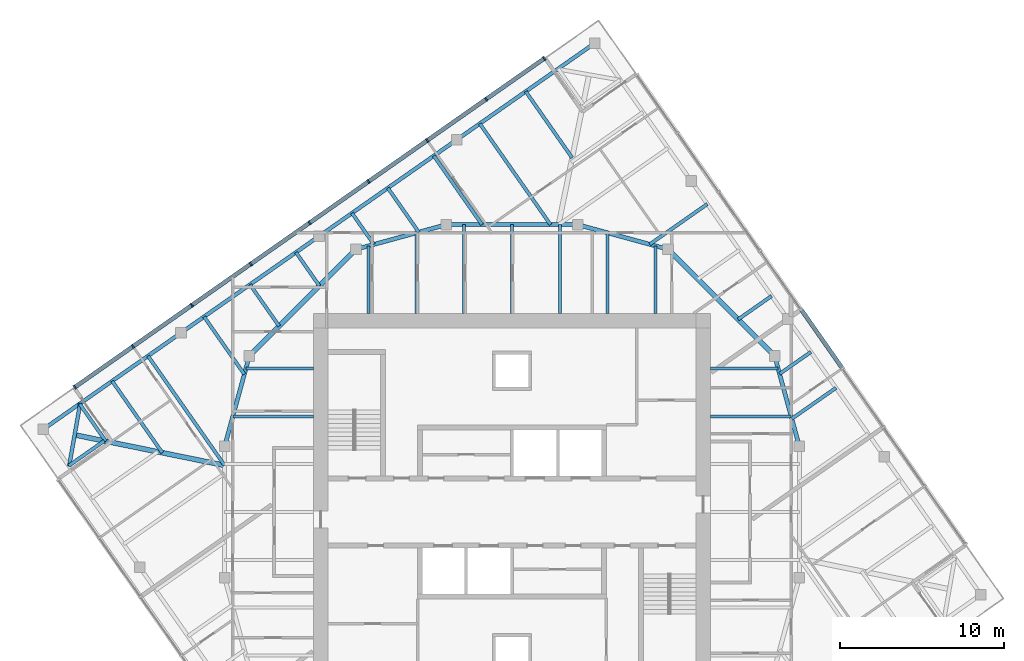
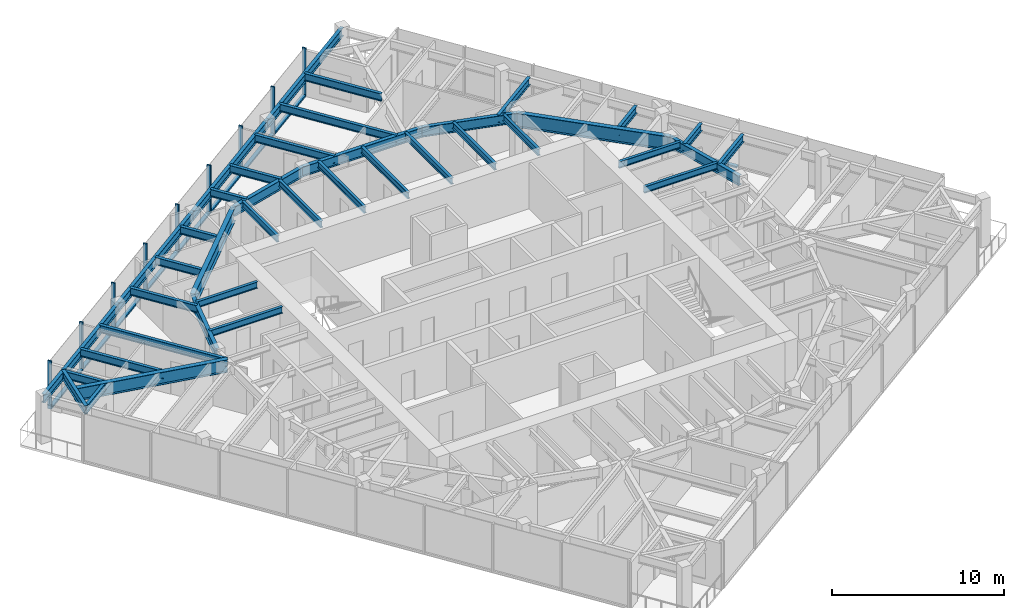
# One storey, part 4 of 12: 40 beams, 18 members, 2 elements without a shape of their own.
"""IFC4 building model written with IfcOpenShell, lengths in metres."""

from ifc_helpers import new_model, si_unit, direction, frame, origin, origin_2d, place, context, subcontext, project, spatial, rectangle, i_section, extrude, material, material_profile, profile_set, type_object, element, aggregate, save


model = new_model("IFC4")

# Units and contexts
model_context = context("Model", 3, precision=1e-05, world=origin(), true_north=direction((0.0, 1.0)))
body_context = subcontext(model_context, "Body", "Model", "MODEL_VIEW")
ifc_project = project(units=[si_unit("LENGTHUNIT", "METRE"), si_unit("AREAUNIT", "SQUARE_METRE"), si_unit("VOLUMEUNIT", "CUBIC_METRE"), si_unit("PLANEANGLEUNIT", "RADIAN"), si_unit("MASSUNIT", "GRAM", prefix="KILO")], contexts=[model_context])

# Site, building, storey
site_placement = place(None, origin())
site = spatial("IfcSite", under=ifc_project, at=site_placement, CompositionType="ELEMENT")
building_placement = place(site_placement, origin())
building = spatial("IfcBuilding", under=site, at=building_placement, Name="Torsade Residences", CompositionType="ELEMENT")
storey_placement = place(building_placement, frame((0.0, 0.0, 243.800048828125)))
storey = spatial("IfcBuildingStorey", under=building, at=storey_placement, Name="L67", CompositionType="ELEMENT", Elevation=243.800048828125)

# Beams
ifc_material_1 = material(Name="Steel grade 300", Category="steel")
ifc_material_profile_1 = material_profile(ifc_material_1, i_section(OverallWidth=0.300048828125, OverallDepth=0.89990234375, WebThickness=0.011962890625, FlangeThickness=0.02490234375, at=origin_2d()), Name="900WB175")
ifc_profile_set_1 = profile_set([ifc_material_profile_1], Name="Steel grade 300")
beam_type_1 = type_object("IfcBeamType", Name="CORNER GIRDER 900WB175", PredefinedType="BEAM", material=ifc_profile_set_1)
beam_1_placement = place(storey_placement, frame((13.364013671875, 34.696533203125, 2.800048828125), z_axis=(0.979880626756, -0.199584461589, 0.0), x_axis=(0.199584461589, 0.979880626756, 0.0)))
element("IfcBeam", 1, at=beam_1_placement, inside=storey, type_object=beam_type_1, Name="Corner girder 13 L68", PredefinedType="BEAM", context=body_context, shape_type="SweptSolid", body=[
    extrude(i_section(OverallWidth=0.300048828125, OverallDepth=0.89990234375, WebThickness=0.011962890625, FlangeThickness=0.02490234375, at=origin_2d()), origin(), (0.0, 0.0, 1.0), 9.323486328125),
])
ifc_material_2 = material(Name="Steel grade 300", Category="steel")
ifc_material_profile_2 = material_profile(ifc_material_2, i_section(OverallWidth=0.22802734375, OverallDepth=0.60205078125, WebThickness=0.010498046875, FlangeThickness=0.014892578125, FilletRadius=0.013916015625, at=origin_2d()), Name="610UB101")
ifc_profile_set_2 = profile_set([ifc_material_profile_2], Name="Steel grade 300")
beam_type_2 = type_object("IfcBeamType", Name="CORNER TRIMMER 610UB101", PredefinedType="BEAM", material=ifc_profile_set_2)
beam_2_placement = place(storey_placement, frame((13.0263671875, 32.78173828125, 2.948974609375), z_axis=(0.173645660267, 0.984808196894, 0.0), x_axis=(-0.984808196894, 0.173645660267, 0.0)))
element("IfcBeam", 2, at=beam_2_placement, inside=storey, type_object=beam_type_2, Name="Corner trimmer 13 L68", PredefinedType="BEAM", context=body_context, shape_type="SweptSolid", body=[
    extrude(i_section(OverallWidth=0.22802734375, OverallDepth=0.60205078125, WebThickness=0.010498046875, FlangeThickness=0.014892578125, FilletRadius=0.013916015625, at=origin_2d()), origin(), (0.0, 0.0, 1.0), 3.888916015625),
])
ifc_material_3 = material(Name="Steel grade 300", Category="steel")
ifc_material_profile_3 = material_profile(ifc_material_3, i_section(OverallWidth=0.22900390625, OverallDepth=0.612060546875, WebThickness=0.011962890625, FlangeThickness=0.01953125, FilletRadius=0.013916015625, at=origin_2d()), Name="610UB125")
ifc_profile_set_3 = profile_set([ifc_material_profile_3], Name="Steel grade 300")
beam_type_3 = type_object("IfcBeamType", Name="EDGE BEAM 610UB125", PredefinedType="SPANDREL", material=ifc_profile_set_3)
for number, where, z_axis, x_axis, name in (
    (3, (45.0341796875, 58.551025390625, 2.94384765625), (-0.819150225126, -0.573579034377, 0.0), (0.573579034377, -0.819150225126, 0.0), "Edge beam 09 L68"),
    (4, (36.637939453125, 52.671875, 2.94384765625), (-0.819150225126, -0.573579034377, 0.0), (0.573579034377, -0.819150225126, 0.0), "Edge beam 10 L68"),
    (5, (28.24169921875, 46.792724609375, 2.94384765625), (-0.819150225126, -0.573579034377, 0.0), (0.573579034377, -0.819150225126, 0.0), "Edge beam 11 L68"),
):
    element("IfcBeam", number, at=place(storey_placement, frame(where, z_axis=z_axis, x_axis=x_axis)), inside=storey, type_object=beam_type_3, Name=name, PredefinedType="SPANDREL", context=body_context, shape_type="SweptSolid", body=[
        extrude(i_section(OverallWidth=0.22900390625, OverallDepth=0.612060546875, WebThickness=0.011962890625, FlangeThickness=0.01953125, FilletRadius=0.013916015625, at=origin_2d()), origin(), (0.0, 0.0, 1.0), 10.25),
    ])
beam_3_placement = place(storey_placement, frame((19.845458984375, 40.91357421875, 2.94384765625), z_axis=(-0.819146870247, -0.573583825578, 0.0), x_axis=(0.573583825578, -0.819146870247, 0.0)))
element("IfcBeam", 6, at=beam_3_placement, inside=storey, type_object=beam_type_3, Name="Edge beam 12 L68", PredefinedType="SPANDREL", context=body_context, shape_type="SweptSolid", body=[
    extrude(i_section(OverallWidth=0.22900390625, OverallDepth=0.612060546875, WebThickness=0.011962890625, FlangeThickness=0.01953125, FilletRadius=0.013916015625, at=origin_2d()), origin(), (0.0, 0.0, 1.0), 10.250244140625),
])

# Curtain wall, members
ifc_material_4 = material(Name="Aluminium and glass", Category="aluminium")
curtain_wall_type = type_object("IfcCurtainWallType", Name="FRITTED GLASS CURTAIN WALL HIGH ZONE", PredefinedType="NOTDEFINED", material=ifc_material_4)
curtain_wall_1_placement = place(storey_placement, origin())
curtain_wall_1 = element("IfcCurtainWall", 7, at=curtain_wall_1_placement, inside=storey, type_object=curtain_wall_type, Name="Curtain wall L67 face 7", PredefinedType="NOTDEFINED")
ifc_material_5 = material(Name="Aluminium mullion", Category="aluminium")
ifc_material_profile_4 = material_profile(ifc_material_5, rectangle(XDim=0.25, YDim=0.10009765625, at=origin_2d()), Name="HIGH ZONE CURTAIN WALL MULLION 250x100")
ifc_profile_set_4 = profile_set([ifc_material_profile_4], Name="Aluminium mullion")
member_type_1 = type_object("IfcMemberType", Name="HIGH ZONE CURTAIN WALL MULLION 250x100", PredefinedType="MULLION", material=ifc_profile_set_4)
member_1_placement = place(storey_placement, frame((41.96240234375, 57.62060546875, 0.0), z_axis=(0.0, 0.0, 1.0), x_axis=(0.573576457682, -0.819152029353, 0.0)))
member_1 = element("IfcMember", 8, at=member_1_placement, type_object=member_type_1, Name="Mullion 1", PredefinedType="MULLION", context=body_context, shape_type="SweptSolid", body=[
    extrude(rectangle(XDim=0.25, YDim=0.10009765625, at=origin_2d()), origin(), (0.0, 0.0, 1.0), 3.39990234375),
])
member_2_placement = place(storey_placement, frame((38.41943359375, 55.139892578125, 0.0), z_axis=(0.0, 0.0, 1.0), x_axis=(0.573576457682, -0.819152029353, 0.0)))
member_2 = element("IfcMember", 9, at=member_2_placement, type_object=member_type_1, Name="Mullion 2", PredefinedType="MULLION", context=body_context, shape_type="SweptSolid", body=[
    extrude(rectangle(XDim=0.25, YDim=0.10009765625, at=origin_2d()), origin(), (0.0, 0.0, 1.0), 3.39990234375),
])
member_3_placement = place(storey_placement, frame((34.835693359375, 52.630615234375, 0.0), z_axis=(0.0, 0.0, 1.0), x_axis=(0.573576457682, -0.819152029353, 0.0)))
member_3 = element("IfcMember", 10, at=member_3_placement, type_object=member_type_1, Name="Mullion 3", PredefinedType="MULLION", context=body_context, shape_type="SweptSolid", body=[
    extrude(rectangle(XDim=0.25, YDim=0.10009765625, at=origin_2d()), origin(), (0.0, 0.0, 1.0), 3.39990234375),
])
member_4_placement = place(storey_placement, frame((31.251953125, 50.12109375, 0.0), z_axis=(0.0, 0.0, 1.0), x_axis=(0.573576457682, -0.819152029353, 0.0)))
member_4 = element("IfcMember", 11, at=member_4_placement, type_object=member_type_1, Name="Mullion 4", PredefinedType="MULLION", context=body_context, shape_type="SweptSolid", body=[
    extrude(rectangle(XDim=0.25, YDim=0.10009765625, at=origin_2d()), origin(), (0.0, 0.0, 1.0), 3.39990234375),
])
member_5_placement = place(storey_placement, frame((27.668212890625, 47.61181640625, 0.0), z_axis=(0.0, 0.0, 1.0), x_axis=(0.573576457682, -0.819152029353, 0.0)))
member_5 = element("IfcMember", 12, at=member_5_placement, type_object=member_type_1, Name="Mullion 5", PredefinedType="MULLION", context=body_context, shape_type="SweptSolid", body=[
    extrude(rectangle(XDim=0.25, YDim=0.10009765625, at=origin_2d()), origin(), (0.0, 0.0, 1.0), 3.39990234375),
])
member_6_placement = place(storey_placement, frame((24.084228515625, 45.102294921875, 0.0), z_axis=(0.0, 0.0, 1.0), x_axis=(0.573576457682, -0.819152029353, 0.0)))
member_6 = element("IfcMember", 13, at=member_6_placement, type_object=member_type_1, Name="Mullion 6", PredefinedType="MULLION", context=body_context, shape_type="SweptSolid", body=[
    extrude(rectangle(XDim=0.25, YDim=0.10009765625, at=origin_2d()), origin(), (0.0, 0.0, 1.0), 3.39990234375),
])
member_7_placement = place(storey_placement, frame((20.50048828125, 42.593017578125, 0.0), z_axis=(0.0, 0.0, 1.0), x_axis=(0.573576457682, -0.819152029353, 0.0)))
member_7 = element("IfcMember", 14, at=member_7_placement, type_object=member_type_1, Name="Mullion 7", PredefinedType="MULLION", context=body_context, shape_type="SweptSolid", body=[
    extrude(rectangle(XDim=0.25, YDim=0.10009765625, at=origin_2d()), origin(), (0.0, 0.0, 1.0), 3.39990234375),
])
member_8_placement = place(storey_placement, frame((16.916748046875, 40.08349609375, 0.0), z_axis=(0.0, 0.0, 1.0), x_axis=(0.573576457682, -0.819152029353, 0.0)))
member_8 = element("IfcMember", 15, at=member_8_placement, type_object=member_type_1, Name="Mullion 8", PredefinedType="MULLION", context=body_context, shape_type="SweptSolid", body=[
    extrude(rectangle(XDim=0.25, YDim=0.10009765625, at=origin_2d()), origin(), (0.0, 0.0, 1.0), 3.39990234375),
])
member_9_placement = place(storey_placement, frame((13.3740234375, 37.602783203125, 0.0), z_axis=(0.0, 0.0, 1.0), x_axis=(0.573576457682, -0.819152029353, 0.0)))
member_9 = element("IfcMember", 16, at=member_9_placement, type_object=member_type_1, Name="Mullion 9", PredefinedType="MULLION", context=body_context, shape_type="SweptSolid", body=[
    extrude(rectangle(XDim=0.25, YDim=0.10009765625, at=origin_2d()), origin(), (0.0, 0.0, 1.0), 3.39990234375),
])

# Curtain wall, member
curtain_wall_2_placement = place(storey_placement, origin())
curtain_wall_2 = element("IfcCurtainWall", 17, at=curtain_wall_2_placement, inside=storey, type_object=curtain_wall_type, Name="Curtain wall L67 face 4", PredefinedType="NOTDEFINED")
ifc_material_6 = material(Name="Aluminium transom", Category="aluminium")
ifc_material_profile_5 = material_profile(ifc_material_6, rectangle(XDim=0.25, YDim=0.1201171875, at=origin_2d()), Name="HIGH ZONE CURTAIN WALL TRANSOM 250x120")
ifc_profile_set_5 = profile_set([ifc_material_profile_5], Name="Aluminium transom")
member_type_2 = type_object("IfcMemberType", Name="HIGH ZONE CURTAIN WALL TRANSOM 250x120", PredefinedType="USERDEFINED", material=ifc_profile_set_5)
member_10_placement = place(storey_placement, frame((60.092529296875, 38.7890625, 0.06005859375), z_axis=(-0.57358498433, 0.819146058863, 0.0), x_axis=(-0.819146058863, -0.57358498433, 0.0)))
member_10 = element("IfcMember", 18, at=member_10_placement, type_object=member_type_2, Name="Transom 4.1", ObjectType="TRANSOM", PredefinedType="USERDEFINED", context=body_context, shape_type="SweptSolid", body=[
    extrude(rectangle(XDim=0.25, YDim=0.1201171875, at=origin_2d()), origin(), (0.0, 0.0, 1.0), 4.275146484375),
])
aggregate(curtain_wall_2, [member_10])

# Member
member_11_placement = place(storey_placement, frame((41.92138671875, 57.592041015625, 0.06005859375), z_axis=(-0.819155901234, -0.573570928023, 0.0), x_axis=(0.573570928023, -0.819155901234, 0.0)))
member_11 = element("IfcMember", 19, at=member_11_placement, type_object=member_type_2, Name="Transom 1.1", ObjectType="TRANSOM", PredefinedType="USERDEFINED", context=body_context, shape_type="SweptSolid", body=[
    extrude(rectangle(XDim=0.25, YDim=0.1201171875, at=origin_2d()), origin(), (0.0, 0.0, 1.0), 4.22509765625),
])

member_12_placement = place(storey_placement, frame((38.37841796875, 55.111328125, 0.06005859375), z_axis=(-0.819127269283, -0.573611817101, 0.0), x_axis=(0.573611817101, -0.819127269283, 0.0)))
member_12 = element("IfcMember", 20, at=member_12_placement, type_object=member_type_2, Name="Transom 2.1", ObjectType="TRANSOM", PredefinedType="USERDEFINED", context=body_context, shape_type="SweptSolid", body=[
    extrude(rectangle(XDim=0.25, YDim=0.1201171875, at=origin_2d()), origin(), (0.0, 0.0, 1.0), 4.27490234375),
])

member_13_placement = place(storey_placement, frame((34.794677734375, 52.601806640625, 0.06005859375), z_axis=(-0.819154102984, -0.573573496219, 0.0), x_axis=(0.573573496219, -0.819154102984, 0.0)))
member_13 = element("IfcMember", 21, at=member_13_placement, type_object=member_type_2, Name="Transom 3.1", ObjectType="TRANSOM", PredefinedType="USERDEFINED", context=body_context, shape_type="SweptSolid", body=[
    extrude(rectangle(XDim=0.25, YDim=0.1201171875, at=origin_2d()), origin(), (0.0, 0.0, 1.0), 4.27490234375),
])

member_14_placement = place(storey_placement, frame((31.2109375, 50.092529296875, 0.06005859375), z_axis=(-0.819146058863, -0.57358498433, 0.0), x_axis=(0.57358498433, -0.819146058863, 0.0)))
member_14 = element("IfcMember", 22, at=member_14_placement, type_object=member_type_2, Name="Transom 4.1", ObjectType="TRANSOM", PredefinedType="USERDEFINED", context=body_context, shape_type="SweptSolid", body=[
    extrude(rectangle(XDim=0.25, YDim=0.1201171875, at=origin_2d()), origin(), (0.0, 0.0, 1.0), 4.275146484375),
])

member_15_placement = place(storey_placement, frame((27.627197265625, 47.5830078125, 0.06005859375), z_axis=(-0.81917289067, -0.573546663483, 0.0), x_axis=(0.573546663483, -0.81917289067, 0.0)))
member_15 = element("IfcMember", 23, at=member_15_placement, type_object=member_type_2, Name="Transom 5.1", ObjectType="TRANSOM", PredefinedType="USERDEFINED", context=body_context, shape_type="SweptSolid", body=[
    extrude(rectangle(XDim=0.25, YDim=0.1201171875, at=origin_2d()), origin(), (0.0, 0.0, 1.0), 4.27490234375),
])

member_16_placement = place(storey_placement, frame((24.04345703125, 45.07373046875, 0.06005859375), z_axis=(-0.819146058863, -0.57358498433, 0.0), x_axis=(0.57358498433, -0.819146058863, 0.0)))
member_16 = element("IfcMember", 24, at=member_16_placement, type_object=member_type_2, Name="Transom 6.1", ObjectType="TRANSOM", PredefinedType="USERDEFINED", context=body_context, shape_type="SweptSolid", body=[
    extrude(rectangle(XDim=0.25, YDim=0.1201171875, at=origin_2d()), origin(), (0.0, 0.0, 1.0), 4.275146484375),
])

member_17_placement = place(storey_placement, frame((20.45947265625, 42.564208984375, 0.06005859375), z_axis=(-0.819154102984, -0.573573496219, 0.0), x_axis=(0.573573496219, -0.819154102984, 0.0)))
member_17 = element("IfcMember", 25, at=member_17_placement, type_object=member_type_2, Name="Transom 7.1", ObjectType="TRANSOM", PredefinedType="USERDEFINED", context=body_context, shape_type="SweptSolid", body=[
    extrude(rectangle(XDim=0.25, YDim=0.1201171875, at=origin_2d()), origin(), (0.0, 0.0, 1.0), 4.27490234375),
])

member_18_placement = place(storey_placement, frame((16.875732421875, 40.054931640625, 0.06005859375), z_axis=(-0.819155901234, -0.573570928023, 0.0), x_axis=(0.573570928023, -0.819155901234, 0.0)))
member_18 = element("IfcMember", 26, at=member_18_placement, type_object=member_type_2, Name="Transom 8.1", ObjectType="TRANSOM", PredefinedType="USERDEFINED", context=body_context, shape_type="SweptSolid", body=[
    extrude(rectangle(XDim=0.25, YDim=0.1201171875, at=origin_2d()), origin(), (0.0, 0.0, 1.0), 4.22509765625),
])

aggregate(curtain_wall_1, [member_1, member_2, member_3, member_4, member_5, member_6, member_7, member_8, member_9, member_11, member_12, member_13, member_14, member_15, member_16, member_17, member_18])

# Beams
ifc_material_7 = material(Name="Steel grade 300", Category="steel")
ifc_material_profile_6 = material_profile(ifc_material_7, i_section(OverallWidth=0.18994140625, OverallDepth=0.4541015625, WebThickness=0.008544921875, FlangeThickness=0.0126953125, FilletRadius=0.011474609375, at=origin_2d()), Name="460UB67.1")
ifc_profile_set_6 = profile_set([ifc_material_profile_6], Name="Steel grade 300")
beam_type_4 = type_object("IfcBeamType", Name="INNER FLOOR BEAM 460UB67.1", PredefinedType="JOIST", material=ifc_profile_set_6)
beam_4_placement = place(storey_placement, frame((31.262451171875, 42.10009765625, 3.02294921875), z_axis=(0.0, 1.0, 0.0), x_axis=(-1.0, 0.0, 0.0)))
element("IfcBeam", 27, at=beam_4_placement, inside=storey, type_object=beam_type_4, Name="Inner floor beam IN01 L68", PredefinedType="JOIST", context=body_context, shape_type="SweptSolid", body=[
    extrude(i_section(OverallWidth=0.18994140625, OverallDepth=0.4541015625, WebThickness=0.008544921875, FlangeThickness=0.0126953125, FilletRadius=0.011474609375, at=origin_2d()), origin(), (0.0, 0.0, 1.0), 4.10791015625),
])
beam_5_placement = place(storey_placement, frame((34.175048828125, 42.10009765625, 3.02294921875), z_axis=(0.0, 1.0, 0.0), x_axis=(-1.0, 0.0, 0.0)))
element("IfcBeam", 28, at=beam_5_placement, inside=storey, type_object=beam_type_4, Name="Inner floor beam IN02 L68", PredefinedType="JOIST", context=body_context, shape_type="SweptSolid", body=[
    extrude(i_section(OverallWidth=0.18994140625, OverallDepth=0.4541015625, WebThickness=0.008544921875, FlangeThickness=0.0126953125, FilletRadius=0.011474609375, at=origin_2d()), origin(), (0.0, 0.0, 1.0), 4.902099609375),
])
for number, where, z_axis, x_axis, name in (
    (29, (37.08740234375, 42.10009765625, 3.02294921875), (0.0, 1.0, 0.0), (-1.0, 0.0, 0.0), "Inner floor beam IN03 L68"),
    (30, (40.0, 42.10009765625, 3.02294921875), (0.0, 1.0, 0.0), (-1.0, 0.0, 0.0), "Inner floor beam IN04 L68"),
    (31, (42.91259765625, 42.10009765625, 3.02294921875), (0.0, 1.0, 0.0), (-1.0, 0.0, 0.0), "Inner floor beam IN05 L68"),
):
    element("IfcBeam", number, at=place(storey_placement, frame(where, z_axis=z_axis, x_axis=x_axis)), inside=storey, type_object=beam_type_4, Name=name, PredefinedType="JOIST", context=body_context, shape_type="SweptSolid", body=[
        extrude(i_section(OverallWidth=0.18994140625, OverallDepth=0.4541015625, WebThickness=0.008544921875, FlangeThickness=0.0126953125, FilletRadius=0.011474609375, at=origin_2d()), origin(), (0.0, 0.0, 1.0), 5.39990234375),
    ])
beam_6_placement = place(storey_placement, frame((45.824951171875, 42.10009765625, 3.02294921875), z_axis=(0.0, 1.0, 0.0), x_axis=(-1.0, 0.0, 0.0)))
element("IfcBeam", 32, at=beam_6_placement, inside=storey, type_object=beam_type_4, Name="Inner floor beam IN06 L68", PredefinedType="JOIST", context=body_context, shape_type="SweptSolid", body=[
    extrude(i_section(OverallWidth=0.18994140625, OverallDepth=0.4541015625, WebThickness=0.008544921875, FlangeThickness=0.0126953125, FilletRadius=0.011474609375, at=origin_2d()), origin(), (0.0, 0.0, 1.0), 4.902099609375),
])
beam_7_placement = place(storey_placement, frame((48.737548828125, 42.10009765625, 3.02294921875), z_axis=(0.0, 1.0, 0.0), x_axis=(-1.0, 0.0, 0.0)))
element("IfcBeam", 33, at=beam_7_placement, inside=storey, type_object=beam_type_4, Name="Inner floor beam IN07 L68", PredefinedType="JOIST", context=body_context, shape_type="SweptSolid", body=[
    extrude(i_section(OverallWidth=0.18994140625, OverallDepth=0.4541015625, WebThickness=0.008544921875, FlangeThickness=0.0126953125, FilletRadius=0.011474609375, at=origin_2d()), origin(), (0.0, 0.0, 1.0), 4.10791015625),
])
beam_8_placement = place(storey_placement, frame((52.10009765625, 35.824951171875, 3.02294921875), z_axis=(1.0, 0.0, 0.0), x_axis=(0.0, 1.0, 0.0)))
element("IfcBeam", 34, at=beam_8_placement, inside=storey, type_object=beam_type_4, Name="Inner floor beam IE06 L68", PredefinedType="JOIST", context=body_context, shape_type="SweptSolid", body=[
    extrude(i_section(OverallWidth=0.18994140625, OverallDepth=0.4541015625, WebThickness=0.008544921875, FlangeThickness=0.0126953125, FilletRadius=0.011474609375, at=origin_2d()), origin(), (0.0, 0.0, 1.0), 4.902099609375),
])
for number, where, z_axis, x_axis, name in (
    (35, (52.10009765625, 38.737548828125, 3.02294921875), (1.0, 0.0, 0.0), (0.0, 1.0, 0.0), "Inner floor beam IE07 L68"),
    (36, (27.89990234375, 38.737548828125, 3.02294921875), (-1.0, 0.0, 0.0), (0.0, -1.0, 0.0), "Inner floor beam IW01 L68"),
):
    element("IfcBeam", number, at=place(storey_placement, frame(where, z_axis=z_axis, x_axis=x_axis)), inside=storey, type_object=beam_type_4, Name=name, PredefinedType="JOIST", context=body_context, shape_type="SweptSolid", body=[
        extrude(i_section(OverallWidth=0.18994140625, OverallDepth=0.4541015625, WebThickness=0.008544921875, FlangeThickness=0.0126953125, FilletRadius=0.011474609375, at=origin_2d()), origin(), (0.0, 0.0, 1.0), 4.10791015625),
    ])
beam_9_placement = place(storey_placement, frame((27.89990234375, 35.824951171875, 3.02294921875), z_axis=(-1.0, 0.0, 0.0), x_axis=(0.0, -1.0, 0.0)))
element("IfcBeam", 37, at=beam_9_placement, inside=storey, type_object=beam_type_4, Name="Inner floor beam IW02 L68", PredefinedType="JOIST", context=body_context, shape_type="SweptSolid", body=[
    extrude(i_section(OverallWidth=0.18994140625, OverallDepth=0.4541015625, WebThickness=0.008544921875, FlangeThickness=0.0126953125, FilletRadius=0.011474609375, at=origin_2d()), origin(), (0.0, 0.0, 1.0), 4.902099609375),
])
ifc_material_8 = material(Name="Steel grade 300", Category="steel")
ifc_material_profile_7 = material_profile(ifc_material_8, i_section(OverallWidth=0.300048828125, OverallDepth=1.0, WebThickness=0.01611328125, FlangeThickness=0.028076171875, at=origin_2d()), Name="1000WB215")
ifc_profile_set_7 = profile_set([ifc_material_profile_7], Name="Steel grade 300")
beam_type_5 = type_object("IfcBeamType", Name="RING CORNER GIRDER 1000WB215", PredefinedType="BEAM", material=ifc_profile_set_7)
for number, where, z_axis, x_axis, name in (
    (38, (56.0, 39.5, 2.75), (-0.707106781187, 0.707106781187, 0.0), (-0.707106781187, -0.707106781187, 0.0), "Ring girder IR03 L68"),
    (39, (30.5, 46.0, 2.75), (-0.707106781187, -0.707106781187, 0.0), (0.707106781187, -0.707106781187, 0.0), "Ring girder IR07 L68"),
):
    element("IfcBeam", number, at=place(storey_placement, frame(where, z_axis=z_axis, x_axis=x_axis)), inside=storey, type_object=beam_type_5, Name=name, PredefinedType="BEAM", context=body_context, shape_type="SweptSolid", body=[
        extrude(i_section(OverallWidth=0.300048828125, OverallDepth=1.0, WebThickness=0.01611328125, FlangeThickness=0.028076171875, at=origin_2d()), origin(), (0.0, 0.0, 1.0), 9.1923828125),
    ])
ifc_material_9 = material(Name="Steel grade 300", Category="steel")
ifc_material_profile_8 = material_profile(ifc_material_9, i_section(OverallWidth=0.25, OverallDepth=0.699951171875, WebThickness=0.010009765625, FlangeThickness=0.02001953125, at=origin_2d()), Name="700WB130")
ifc_profile_set_8 = profile_set([ifc_material_profile_8], Name="Steel grade 300")
beam_type_6 = type_object("IfcBeamType", Name="RING GIRDER 700WB130", PredefinedType="BEAM", material=ifc_profile_set_8)
for number, where, z_axis, x_axis, name in (
    (40, (57.5, 34.0, 2.89990234375), (-0.263117405792, 0.964763821238, 0.0), (-0.964763821238, -0.263117405792, 0.0), "Ring girder IR02 L68"),
    (41, (49.5, 46.0, 2.89990234375), (-0.964763821238, 0.263117405792, 0.0), (-0.263117405792, -0.964763821238, 0.0), "Ring girder IR04 L68"),
):
    element("IfcBeam", number, at=place(storey_placement, frame(where, z_axis=z_axis, x_axis=x_axis)), inside=storey, type_object=beam_type_6, Name=name, PredefinedType="BEAM", context=body_context, shape_type="SweptSolid", body=[
        extrude(i_section(OverallWidth=0.25, OverallDepth=0.699951171875, WebThickness=0.010009765625, FlangeThickness=0.02001953125, at=origin_2d()), origin(), (0.0, 0.0, 1.0), 5.700927734375),
    ])
beam_10_placement = place(storey_placement, frame((44.0, 47.5, 2.89990234375), z_axis=(-1.0, 0.0, 0.0), x_axis=(0.0, -1.0, 0.0)))
element("IfcBeam", 42, at=beam_10_placement, inside=storey, type_object=beam_type_6, Name="Ring girder IR05 L68", PredefinedType="BEAM", context=body_context, shape_type="SweptSolid", body=[
    extrude(i_section(OverallWidth=0.25, OverallDepth=0.699951171875, WebThickness=0.010009765625, FlangeThickness=0.02001953125, at=origin_2d()), origin(), (0.0, 0.0, 1.0), 8.0),
])
for number, where, z_axis, x_axis, name in (
    (43, (36.0, 47.5, 2.89990234375), (-0.964763821238, -0.263117405792, 0.0), (0.263117405792, -0.964763821238, 0.0), "Ring girder IR06 L68"),
    (44, (24.0, 39.5, 2.89990234375), (-0.263117405792, -0.964763821238, 0.0), (0.964763821238, -0.263117405792, 0.0), "Ring girder IR08 L68"),
):
    element("IfcBeam", number, at=place(storey_placement, frame(where, z_axis=z_axis, x_axis=x_axis)), inside=storey, type_object=beam_type_6, Name=name, PredefinedType="BEAM", context=body_context, shape_type="SweptSolid", body=[
        extrude(i_section(OverallWidth=0.25, OverallDepth=0.699951171875, WebThickness=0.010009765625, FlangeThickness=0.02001953125, at=origin_2d()), origin(), (0.0, 0.0, 1.0), 5.700927734375),
    ])
ifc_material_10 = material(Name="Steel grade 300", Category="steel")
ifc_material_profile_9 = material_profile(ifc_material_10, i_section(OverallWidth=0.208984375, OverallDepth=0.532958984375, WebThickness=0.01025390625, FlangeThickness=0.015625, FilletRadius=0.013916015625, at=origin_2d()), Name="530UB92.4")
ifc_profile_set_9 = profile_set([ifc_material_profile_9], Name="Steel grade 300")
beam_type_7 = type_object("IfcBeamType", Name="SECONDARY BEAM 530UB92.4", PredefinedType="JOIST", material=ifc_profile_set_9)
beam_11_placement = place(storey_placement, frame((59.732177734375, 37.56005859375, 2.9833984375), z_axis=(-0.819169032504, -0.573552173902, 0.0), x_axis=(0.573552173902, -0.819169032504, 0.0)))
element("IfcBeam", 45, at=beam_11_placement, inside=storey, type_object=beam_type_7, Name="Floor beam FE05 L68", PredefinedType="JOIST", context=body_context, shape_type="SweptSolid", body=[
    extrude(i_section(OverallWidth=0.208984375, OverallDepth=0.532958984375, WebThickness=0.01025390625, FlangeThickness=0.015625, FilletRadius=0.013916015625, at=origin_2d()), origin(), (0.0, 0.0, 1.0), 3.283203125),
])
beam_12_placement = place(storey_placement, frame((58.20263671875, 39.74462890625, 2.9833984375), z_axis=(-0.819157953557, -0.573567996949, 0.0), x_axis=(0.573567996949, -0.819157953557, 0.0)))
element("IfcBeam", 46, at=beam_12_placement, inside=storey, type_object=beam_type_7, Name="Floor beam FE06 L68", PredefinedType="JOIST", context=body_context, shape_type="SweptSolid", body=[
    extrude(i_section(OverallWidth=0.208984375, OverallDepth=0.532958984375, WebThickness=0.01025390625, FlangeThickness=0.015625, FilletRadius=0.013916015625, at=origin_2d()), origin(), (0.0, 0.0, 1.0), 2.326171875),
])
beam_13_placement = place(storey_placement, frame((55.812744140625, 43.15771484375, 2.9833984375), z_axis=(-0.819172078752, -0.573547823109, 0.0), x_axis=(0.573547823109, -0.819172078752, 0.0)))
element("IfcBeam", 47, at=beam_13_placement, inside=storey, type_object=beam_type_7, Name="Floor beam FE07 L68", PredefinedType="JOIST", context=body_context, shape_type="SweptSolid", body=[
    extrude(i_section(OverallWidth=0.208984375, OverallDepth=0.532958984375, WebThickness=0.01025390625, FlangeThickness=0.015625, FilletRadius=0.013916015625, at=origin_2d()), origin(), (0.0, 0.0, 1.0), 2.491943359375),
])
beam_14_placement = place(storey_placement, frame((51.893310546875, 48.755126953125, 2.9833984375), z_axis=(-0.819148759439, -0.573581127575, 0.0), x_axis=(0.573581127575, -0.819148759439, 0.0)))
element("IfcBeam", 48, at=beam_14_placement, inside=storey, type_object=beam_type_7, Name="Floor beam FE09 L68", PredefinedType="JOIST", context=body_context, shape_type="SweptSolid", body=[
    extrude(i_section(OverallWidth=0.208984375, OverallDepth=0.532958984375, WebThickness=0.01025390625, FlangeThickness=0.015625, FilletRadius=0.013916015625, at=origin_2d()), origin(), (0.0, 0.0, 1.0), 4.276123046875),
])
beam_15_placement = place(storey_placement, frame((40.836181640625, 55.611328125, 2.9833984375), z_axis=(0.573575295634, -0.819152843027, 0.0), x_axis=(0.819152843027, 0.573575295634, 0.0)))
element("IfcBeam", 49, at=beam_15_placement, inside=storey, type_object=beam_type_7, Name="Floor beam FN02 L68", PredefinedType="JOIST", context=body_context, shape_type="SweptSolid", body=[
    extrude(i_section(OverallWidth=0.208984375, OverallDepth=0.532958984375, WebThickness=0.01025390625, FlangeThickness=0.015625, FilletRadius=0.013916015625, at=origin_2d()), origin(), (0.0, 0.0, 1.0), 4.931884765625),
])
beam_16_placement = place(storey_placement, frame((38.037353515625, 53.651611328125, 2.9833984375), z_axis=(0.573573614851, -0.819154019917, 0.0), x_axis=(0.819154019917, 0.573573614851, 0.0)))
element("IfcBeam", 50, at=beam_16_placement, inside=storey, type_object=beam_type_7, Name="Floor beam FN03 L68", PredefinedType="JOIST", context=body_context, shape_type="SweptSolid", body=[
    extrude(i_section(OverallWidth=0.208984375, OverallDepth=0.532958984375, WebThickness=0.01025390625, FlangeThickness=0.015625, FilletRadius=0.013916015625, at=origin_2d()), origin(), (0.0, 0.0, 1.0), 7.509765625),
])
beam_17_placement = place(storey_placement, frame((35.238525390625, 51.69189453125, 2.9833984375), z_axis=(0.573590411882, -0.819142258339, 0.0), x_axis=(0.819142258339, 0.573590411882, 0.0)))
element("IfcBeam", 51, at=beam_17_placement, inside=storey, type_object=beam_type_7, Name="Floor beam FN04 L68", PredefinedType="JOIST", context=body_context, shape_type="SweptSolid", body=[
    extrude(i_section(OverallWidth=0.208984375, OverallDepth=0.532958984375, WebThickness=0.01025390625, FlangeThickness=0.015625, FilletRadius=0.013916015625, at=origin_2d()), origin(), (0.0, 0.0, 1.0), 5.117431640625),
])
beam_18_placement = place(storey_placement, frame((32.43994140625, 49.732177734375, 2.9833984375), z_axis=(0.573552173902, -0.819169032504, 0.0), x_axis=(0.819169032504, 0.573552173902, 0.0)))
element("IfcBeam", 52, at=beam_18_placement, inside=storey, type_object=beam_type_7, Name="Floor beam FN05 L68", PredefinedType="JOIST", context=body_context, shape_type="SweptSolid", body=[
    extrude(i_section(OverallWidth=0.208984375, OverallDepth=0.532958984375, WebThickness=0.01025390625, FlangeThickness=0.015625, FilletRadius=0.013916015625, at=origin_2d()), origin(), (0.0, 0.0, 1.0), 3.283203125),
])
beam_19_placement = place(storey_placement, frame((30.25537109375, 48.20263671875, 2.9833984375), z_axis=(0.573567996949, -0.819157953557, 0.0), x_axis=(0.819157953557, 0.573567996949, 0.0)))
element("IfcBeam", 53, at=beam_19_placement, inside=storey, type_object=beam_type_7, Name="Floor beam FN06 L68", PredefinedType="JOIST", context=body_context, shape_type="SweptSolid", body=[
    extrude(i_section(OverallWidth=0.208984375, OverallDepth=0.532958984375, WebThickness=0.01025390625, FlangeThickness=0.015625, FilletRadius=0.013916015625, at=origin_2d()), origin(), (0.0, 0.0, 1.0), 2.326171875),
])
beam_20_placement = place(storey_placement, frame((26.84228515625, 45.812744140625, 2.9833984375), z_axis=(0.573547823109, -0.819172078752, 0.0), x_axis=(0.819172078752, 0.573547823109, 0.0)))
element("IfcBeam", 54, at=beam_20_placement, inside=storey, type_object=beam_type_7, Name="Floor beam FN07 L68", PredefinedType="JOIST", context=body_context, shape_type="SweptSolid", body=[
    extrude(i_section(OverallWidth=0.208984375, OverallDepth=0.532958984375, WebThickness=0.01025390625, FlangeThickness=0.015625, FilletRadius=0.013916015625, at=origin_2d()), origin(), (0.0, 0.0, 1.0), 2.491943359375),
])
beam_21_placement = place(storey_placement, frame((24.04345703125, 43.85302734375, 2.9833984375), z_axis=(0.573600013401, -0.819135534955, 0.0), x_axis=(0.819135534955, 0.573600013401, 0.0)))
element("IfcBeam", 55, at=beam_21_placement, inside=storey, type_object=beam_type_7, Name="Floor beam FN08 L68", PredefinedType="JOIST", context=body_context, shape_type="SweptSolid", body=[
    extrude(i_section(OverallWidth=0.208984375, OverallDepth=0.532958984375, WebThickness=0.01025390625, FlangeThickness=0.015625, FilletRadius=0.013916015625, at=origin_2d()), origin(), (0.0, 0.0, 1.0), 3.09423828125),
])
beam_22_placement = place(storey_placement, frame((21.244873046875, 41.893310546875, 2.9833984375), z_axis=(0.573581127575, -0.819148759439, 0.0), x_axis=(0.819148759439, 0.573581127575, 0.0)))
element("IfcBeam", 56, at=beam_22_placement, inside=storey, type_object=beam_type_7, Name="Floor beam FN09 L68", PredefinedType="JOIST", context=body_context, shape_type="SweptSolid", body=[
    extrude(i_section(OverallWidth=0.208984375, OverallDepth=0.532958984375, WebThickness=0.01025390625, FlangeThickness=0.015625, FilletRadius=0.013916015625, at=origin_2d()), origin(), (0.0, 0.0, 1.0), 4.276123046875),
])
beam_23_placement = place(storey_placement, frame((17.83154296875, 39.50341796875, 2.9833984375), z_axis=(0.573577087251, -0.819151588523, 0.0), x_axis=(0.819151588523, 0.573577087251, 0.0)))
element("IfcBeam", 57, at=beam_23_placement, inside=storey, type_object=beam_type_7, Name="Floor beam FN10 L68", PredefinedType="JOIST", context=body_context, shape_type="SweptSolid", body=[
    extrude(i_section(OverallWidth=0.208984375, OverallDepth=0.532958984375, WebThickness=0.01025390625, FlangeThickness=0.015625, FilletRadius=0.013916015625, at=origin_2d()), origin(), (0.0, 0.0, 1.0), 8.13916015625),
])
beam_24_placement = place(storey_placement, frame((15.647216796875, 37.973876953125, 2.9833984375), z_axis=(0.573597638513, -0.819137197966, 0.0), x_axis=(0.819137197966, 0.573597638513, 0.0)))
element("IfcBeam", 58, at=beam_24_placement, inside=storey, type_object=beam_type_7, Name="Floor beam FN11 L68", PredefinedType="JOIST", context=body_context, shape_type="SweptSolid", body=[
    extrude(i_section(OverallWidth=0.208984375, OverallDepth=0.532958984375, WebThickness=0.01025390625, FlangeThickness=0.015625, FilletRadius=0.013916015625, at=origin_2d()), origin(), (0.0, 0.0, 1.0), 5.328369140625),
])
beam_25_placement = place(storey_placement, frame((13.667724609375, 36.587646484375, 2.9833984375), z_axis=(0.573521270253, -0.819190669238, 0.0), x_axis=(0.819190669238, 0.573521270253, 0.0)))
element("IfcBeam", 59, at=beam_25_placement, inside=storey, type_object=beam_type_7, Name="Floor beam FN12 L68", PredefinedType="JOIST", context=body_context, shape_type="SweptSolid", body=[
    extrude(i_section(OverallWidth=0.208984375, OverallDepth=0.532958984375, WebThickness=0.01025390625, FlangeThickness=0.015625, FilletRadius=0.013916015625, at=origin_2d()), origin(), (0.0, 0.0, 1.0), 2.780517578125),
])
beam_26_placement = place(storey_placement, frame((13.00244140625, 32.815673828125, 2.9833984375), z_axis=(0.819140666445, 0.573592685254, 0.0), x_axis=(-0.573592685254, 0.819140666445, 0.0)))
element("IfcBeam", 60, at=beam_26_placement, inside=storey, type_object=beam_type_7, Name="Floor beam FW01 L68", PredefinedType="JOIST", context=body_context, shape_type="SweptSolid", body=[
    extrude(i_section(OverallWidth=0.208984375, OverallDepth=0.532958984375, WebThickness=0.01025390625, FlangeThickness=0.015625, FilletRadius=0.013916015625, at=origin_2d()), origin(), (0.0, 0.0, 1.0), 2.639892578125),
])

save(model, "model.ifc")
